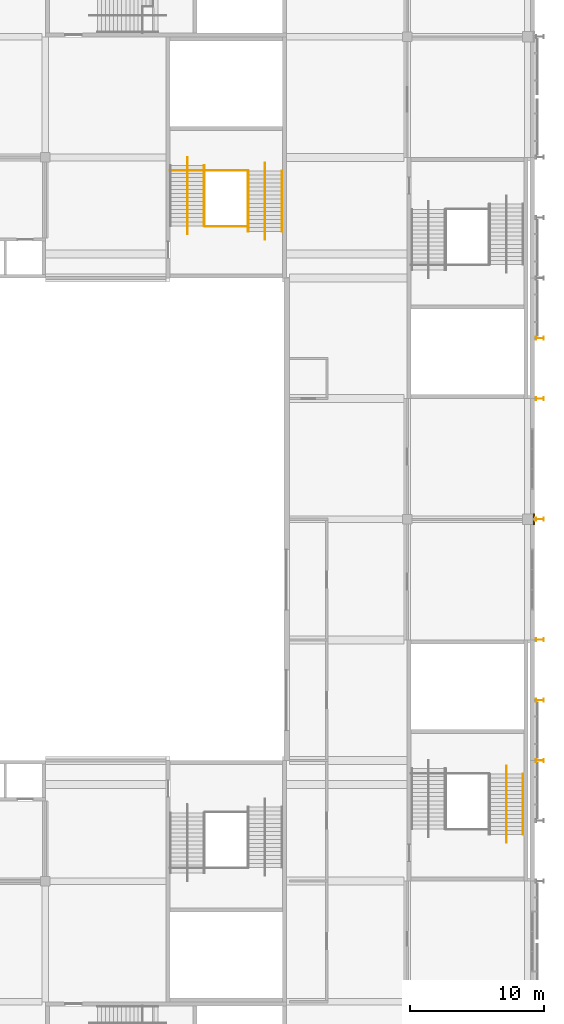
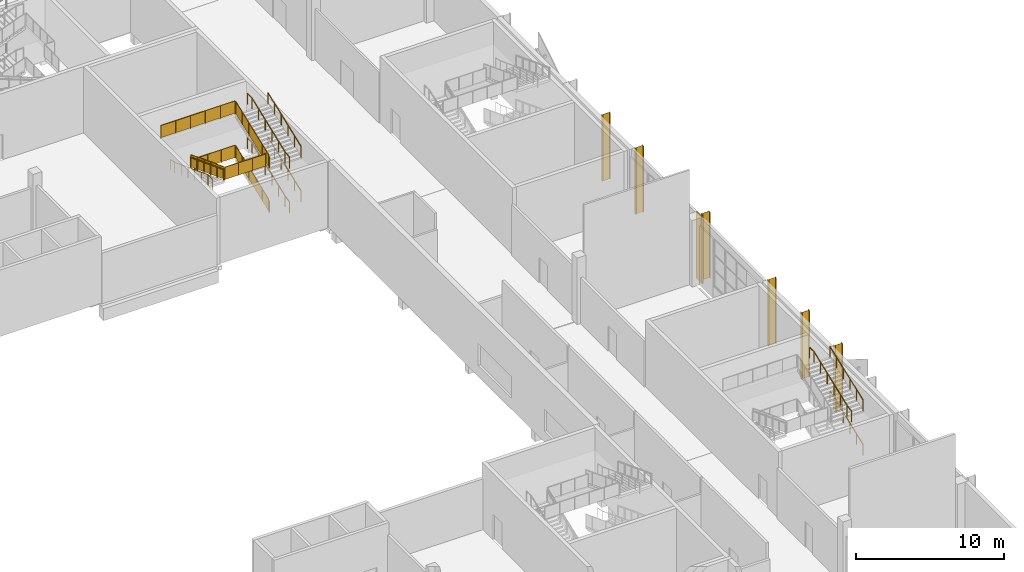
# One storey, part 81 of 84: 17 railings, 6 shading devices, 1 covering.
"""IFC4 building model written with IfcOpenShell, lengths in metres."""

from ifc_helpers import new_model, si_unit, direction, frame, origin, origin_2d, place, context, subcontext, project, spatial, polyline, circle, i_section, outline, extrude, material, layer, layer_set, material_profile, profile_set, type_object, element, save


model = new_model("IFC4")

# Units and contexts
model_context = context("Model", 3, precision=1e-05, world=origin(), true_north=direction((0.0, 1.0)))
body_context = subcontext(model_context, "Body", "Model", "MODEL_VIEW")
ifc_project = project(units=[si_unit("LENGTHUNIT", "METRE"), si_unit("AREAUNIT", "SQUARE_METRE"), si_unit("VOLUMEUNIT", "CUBIC_METRE"), si_unit("PLANEANGLEUNIT", "RADIAN"), si_unit("MASSUNIT", "GRAM", prefix="KILO")], contexts=[model_context])

# Site, building, storey
site_placement = place(None, origin())
site = spatial("IfcSite", under=ifc_project, at=site_placement, CompositionType="ELEMENT")
building_placement = place(site_placement, origin())
building = spatial("IfcBuilding", under=site, at=building_placement, Name="Silverbay Arena", CompositionType="ELEMENT")
storey_placement = place(building_placement, frame((0.0, 0.0, 28.0)))
storey = spatial("IfcBuildingStorey", under=building, at=storey_placement, Name="L04", CompositionType="ELEMENT", Elevation=28.0)

# Covering
ifc_material_1 = material(Name="Aluminium composite cladding", Category="aluminium")
ifc_layer = layer(ifc_material_1, 0.10009765625)
ifc_layer_set = layer_set([ifc_layer], Name="Aluminium composite cladding")
covering_type = type_object("IfcCoveringType", Name="Column cladding 100", PredefinedType="CLADDING", material=ifc_layer_set)
covering_placement = place(storey_placement, origin())
element("IfcCovering", 1, at=covering_placement, inside=storey, type_object=covering_type, Name="East column cladding L04 10", PredefinedType="CLADDING", context=body_context, shape_type="SweptSolid", body=[
    extrude(outline(polyline([(207.39990234375, 80.60009765625), (207.5, 80.60009765625), (207.5, 81.39990234375), (207.39990234375, 81.39990234375), (207.39990234375, 80.60009765625)])), origin(), (0.0, 0.0, 1.0), 5.5),
])

# Railings
ifc_material_2 = material(Name="Stainless steel", Category="steel")
railing_type_1 = type_object("IfcRailingType", Name="Stair guard 1100", PredefinedType="GUARDRAIL", material=ifc_material_2)
railing_1_placement = place(storey_placement, frame((186.125, 102.4794921875, 0.114501953125)))
element("IfcRailing", 2, at=railing_1_placement, inside=storey, type_object=railing_type_1, Name="Stair ST-NE2 L04 to L05 flight 1 guard left", PredefinedType="GUARDRAIL", context=body_context, shape_type="SweptSolid", body=[
    extrude(circle(Radius=0.02392578125, at=origin_2d()), frame((0.0, 0.0, 1.076171875), z_axis=(0.0, 0.93417907455, 0.356804507641), x_axis=(-1.0, 0.0, 0.0)), (0.0, 0.0, 1.0), 4.817138671875),
    extrude(outline(polyline([(-0.008056640625, 0.046875), (0.907958984375, 0.396728515625), (0.907958984375, 1.39990234375), (-0.008056640625, 1.050048828125), (-0.008056640625, 0.046875)])), frame((-0.0029296875, 0.0, 0.0), z_axis=(1.0, 0.0, 0.0), x_axis=(0.0, 1.0, 0.0)), (0.0, 0.0, 1.0), 0.006103515625),
    extrude(outline(polyline([(-0.008056640625, 0.390625), (0.907958984375, 0.740478515625), (0.907958984375, 1.74365234375), (-0.008056640625, 1.393798828125), (-0.008056640625, 0.390625)])), frame((-0.0029296875, 0.89990234375, 0.0), z_axis=(1.0, 0.0, 0.0), x_axis=(0.0, 1.0, 0.0)), (0.0, 0.0, 1.0), 0.006103515625),
    extrude(outline(polyline([(-0.008056640625, 0.734375), (0.907958984375, 1.084228515625), (0.907958984375, 2.08740234375), (-0.008056640625, 1.737548828125), (-0.008056640625, 0.734375)])), frame((-0.0029296875, 1.800048828125, 0.0), z_axis=(1.0, 0.0, 0.0), x_axis=(0.0, 1.0, 0.0)), (0.0, 0.0, 1.0), 0.006103515625),
    extrude(outline(polyline([(-0.008056640625, 1.078125), (0.907958984375, 1.427978515625), (0.907958984375, 2.43115234375), (-0.008056640625, 2.081298828125), (-0.008056640625, 1.078125)])), frame((-0.0029296875, 2.699951171875, 0.0), z_axis=(1.0, 0.0, 0.0), x_axis=(0.0, 1.0, 0.0)), (0.0, 0.0, 1.0), 0.006103515625),
    extrude(outline(polyline([(-0.008056640625, 1.421875), (0.907958984375, 1.771728515625), (0.907958984375, 2.77490234375), (-0.008056640625, 2.425048828125), (-0.008056640625, 1.421875)])), frame((-0.0029296875, 3.60009765625, 0.0), z_axis=(1.0, 0.0, 0.0), x_axis=(0.0, 1.0, 0.0)), (0.0, 0.0, 1.0), 0.006103515625),
    extrude(circle(Radius=0.02099609375, at=origin_2d()), origin(), (0.0, 0.0, 1.0), 1.052001953125),
    extrude(circle(Radius=0.02099609375, at=origin_2d()), frame((0.0, 0.89990234375, 0.34375)), (0.0, 0.0, 1.0), 1.052001953125),
    extrude(circle(Radius=0.02099609375, at=origin_2d()), frame((0.0, 1.800048828125, 0.6875)), (0.0, 0.0, 1.0), 1.052001953125),
    extrude(circle(Radius=0.02099609375, at=origin_2d()), frame((0.0, 2.699951171875, 1.03125)), (0.0, 0.0, 1.0), 1.052001953125),
    extrude(circle(Radius=0.02099609375, at=origin_2d()), frame((0.0, 3.60009765625, 1.375)), (0.0, 0.0, 1.0), 1.052001953125),
    extrude(circle(Radius=0.02099609375, at=origin_2d()), frame((0.0, 4.5, 1.71875)), (0.0, 0.0, 1.0), 1.052001953125),
])
railing_2_placement = place(storey_placement, frame((182.875, 107.39990234375, 1.947998046875)))
element("IfcRailing", 3, at=railing_2_placement, inside=storey, type_object=railing_type_1, Name="Stair ST-NE2 L04 to L05 flight 2 guard right", PredefinedType="GUARDRAIL", context=body_context, shape_type="SweptSolid", body=[
    extrude(circle(Radius=0.02392578125, at=origin_2d()), frame((0.0, 0.0, 1.076171875), z_axis=(0.0, -0.93417907455, 0.356804507641), x_axis=(1.0, 0.0, 0.0)), (0.0, 0.0, 1.0), 4.817138671875),
    extrude(outline(polyline([(-0.008056640625, 0.046875), (0.907958984375, 0.396728515625), (0.907958984375, 1.39990234375), (-0.008056640625, 1.050048828125), (-0.008056640625, 0.046875)])), frame((0.0029296875, 0.0, 0.0), z_axis=(-1.0, 0.0, 0.0), x_axis=(0.0, -1.0, 0.0)), (0.0, 0.0, 1.0), 0.006103515625),
    extrude(outline(polyline([(-0.008056640625, 0.390625), (0.907958984375, 0.740478515625), (0.907958984375, 1.74365234375), (-0.008056640625, 1.393798828125), (-0.008056640625, 0.390625)])), frame((0.0029296875, -0.89990234375, 0.0), z_axis=(-1.0, 0.0, 0.0), x_axis=(0.0, -1.0, 0.0)), (0.0, 0.0, 1.0), 0.006103515625),
    extrude(outline(polyline([(-0.008056640625, 0.734375), (0.907958984375, 1.084228515625), (0.907958984375, 2.08740234375), (-0.008056640625, 1.737548828125), (-0.008056640625, 0.734375)])), frame((0.0029296875, -1.800048828125, 0.0), z_axis=(-1.0, 0.0, 0.0), x_axis=(0.0, -1.0, 0.0)), (0.0, 0.0, 1.0), 0.006103515625),
    extrude(outline(polyline([(-0.008056640625, 1.078125), (0.907958984375, 1.427978515625), (0.907958984375, 2.43115234375), (-0.008056640625, 2.081298828125), (-0.008056640625, 1.078125)])), frame((0.0029296875, -2.699951171875, 0.0), z_axis=(-1.0, 0.0, 0.0), x_axis=(0.0, -1.0, 0.0)), (0.0, 0.0, 1.0), 0.006103515625),
    extrude(outline(polyline([(-0.008056640625, 1.421875), (0.907958984375, 1.771728515625), (0.907958984375, 2.77490234375), (-0.008056640625, 2.425048828125), (-0.008056640625, 1.421875)])), frame((0.0029296875, -3.60009765625, 0.0), z_axis=(-1.0, 0.0, 0.0), x_axis=(0.0, -1.0, 0.0)), (0.0, 0.0, 1.0), 0.006103515625),
    extrude(circle(Radius=0.02099609375, at=origin_2d()), origin(), (0.0, 0.0, 1.0), 1.052001953125),
    extrude(circle(Radius=0.02099609375, at=origin_2d()), frame((0.0, -0.89990234375, 0.34375)), (0.0, 0.0, 1.0), 1.052001953125),
    extrude(circle(Radius=0.02099609375, at=origin_2d()), frame((0.0, -1.800048828125, 0.6875)), (0.0, 0.0, 1.0), 1.052001953125),
    extrude(circle(Radius=0.02099609375, at=origin_2d()), frame((0.0, -2.699951171875, 1.03125)), (0.0, 0.0, 1.0), 1.052001953125),
    extrude(circle(Radius=0.02099609375, at=origin_2d()), frame((0.0, -3.60009765625, 1.375)), (0.0, 0.0, 1.0), 1.052001953125),
    extrude(circle(Radius=0.02099609375, at=origin_2d()), frame((0.0, -4.5, 1.71875)), (0.0, 0.0, 1.0), 1.052001953125),
])
railing_3_placement = place(storey_placement, frame((186.125, 102.4794921875, 3.78125)))
element("IfcRailing", 4, at=railing_3_placement, inside=storey, type_object=railing_type_1, Name="Stair ST-NE2 L04 to L05 flight 3 guard left", PredefinedType="GUARDRAIL", context=body_context, shape_type="SweptSolid", body=[
    extrude(circle(Radius=0.02392578125, at=origin_2d()), frame((0.0, 0.0, 1.076171875), z_axis=(0.0, 0.93417907455, 0.356804507641), x_axis=(-1.0, 0.0, 0.0)), (0.0, 0.0, 1.0), 4.817138671875),
    extrude(outline(polyline([(-0.008056640625, 0.046875), (0.907958984375, 0.396728515625), (0.907958984375, 1.39990234375), (-0.008056640625, 1.050048828125), (-0.008056640625, 0.046875)])), frame((-0.0029296875, 0.0, 0.0), z_axis=(1.0, 0.0, 0.0), x_axis=(0.0, 1.0, 0.0)), (0.0, 0.0, 1.0), 0.006103515625),
    extrude(outline(polyline([(-0.008056640625, 0.390625), (0.907958984375, 0.740478515625), (0.907958984375, 1.74365234375), (-0.008056640625, 1.393798828125), (-0.008056640625, 0.390625)])), frame((-0.0029296875, 0.89990234375, 0.0), z_axis=(1.0, 0.0, 0.0), x_axis=(0.0, 1.0, 0.0)), (0.0, 0.0, 1.0), 0.006103515625),
    extrude(outline(polyline([(-0.008056640625, 0.734375), (0.907958984375, 1.084228515625), (0.907958984375, 2.08740234375), (-0.008056640625, 1.737548828125), (-0.008056640625, 0.734375)])), frame((-0.0029296875, 1.800048828125, 0.0), z_axis=(1.0, 0.0, 0.0), x_axis=(0.0, 1.0, 0.0)), (0.0, 0.0, 1.0), 0.006103515625),
    extrude(outline(polyline([(-0.008056640625, 1.078125), (0.907958984375, 1.427978515625), (0.907958984375, 2.43115234375), (-0.008056640625, 2.081298828125), (-0.008056640625, 1.078125)])), frame((-0.0029296875, 2.699951171875, 0.0), z_axis=(1.0, 0.0, 0.0), x_axis=(0.0, 1.0, 0.0)), (0.0, 0.0, 1.0), 0.006103515625),
    extrude(outline(polyline([(-0.008056640625, 1.421875), (0.907958984375, 1.771728515625), (0.907958984375, 2.77490234375), (-0.008056640625, 2.425048828125), (-0.008056640625, 1.421875)])), frame((-0.0029296875, 3.60009765625, 0.0), z_axis=(1.0, 0.0, 0.0), x_axis=(0.0, 1.0, 0.0)), (0.0, 0.0, 1.0), 0.006103515625),
    extrude(circle(Radius=0.02099609375, at=origin_2d()), origin(), (0.0, 0.0, 1.0), 1.052001953125),
    extrude(circle(Radius=0.02099609375, at=origin_2d()), frame((0.0, 0.89990234375, 0.34375)), (0.0, 0.0, 1.0), 1.052001953125),
    extrude(circle(Radius=0.02099609375, at=origin_2d()), frame((0.0, 1.800048828125, 0.6875)), (0.0, 0.0, 1.0), 1.052001953125),
    extrude(circle(Radius=0.02099609375, at=origin_2d()), frame((0.0, 2.699951171875, 1.03125)), (0.0, 0.0, 1.0), 1.052001953125),
    extrude(circle(Radius=0.02099609375, at=origin_2d()), frame((0.0, 3.60009765625, 1.375)), (0.0, 0.0, 1.0), 1.052001953125),
    extrude(circle(Radius=0.02099609375, at=origin_2d()), frame((0.0, 4.5, 1.71875)), (0.0, 0.0, 1.0), 1.052001953125),
])
for number, where, name in (
    (5, (182.89990234375, 107.029541015625, 1.833251953125), "Stair ST-NE2 L04 to L05 landing 1 guard"),
    (6, (182.89990234375, 102.85009765625, 3.666748046875), "Stair ST-NE2 L04 to L05 landing 2 guard"),
):
    element("IfcRailing", number, at=place(storey_placement, frame(where)), inside=storey, type_object=railing_type_1, Name=name, PredefinedType="GUARDRAIL", context=body_context, shape_type="SweptSolid", body=[
        extrude(circle(Radius=0.02392578125, at=origin_2d()), frame((0.0, 0.0, 1.076171875), z_axis=(1.0, 0.0, 0.0), x_axis=(0.0, 1.0, 0.0)), (0.0, 0.0, 1.0), 3.2001953125),
        extrude(outline(polyline([(-0.008056640625, 0.050048828125), (1.07470703125, 0.050048828125), (1.07470703125, 1.052978515625), (-0.008056640625, 1.052978515625), (-0.008056640625, 0.050048828125)])), frame((0.0, 0.0029296875, 0.0), z_axis=(0.0, -1.0, 0.0), x_axis=(1.0, 0.0, 0.0)), (0.0, 0.0, 1.0), 0.006103515625),
        extrude(outline(polyline([(-0.008056640625, 0.050048828125), (1.07470703125, 0.050048828125), (1.07470703125, 1.052978515625), (-0.008056640625, 1.052978515625), (-0.008056640625, 0.050048828125)])), frame((1.066650390625, 0.0029296875, 0.0), z_axis=(0.0, -1.0, 0.0), x_axis=(1.0, 0.0, 0.0)), (0.0, 0.0, 1.0), 0.006103515625),
        extrude(outline(polyline([(-0.008056640625, 0.050048828125), (1.07470703125, 0.050048828125), (1.07470703125, 1.052978515625), (-0.008056640625, 1.052978515625), (-0.008056640625, 0.050048828125)])), frame((2.133544921875, 0.0029296875, 0.0), z_axis=(0.0, -1.0, 0.0), x_axis=(1.0, 0.0, 0.0)), (0.0, 0.0, 1.0), 0.006103515625),
        extrude(circle(Radius=0.02099609375, at=origin_2d()), origin(), (0.0, 0.0, 1.0), 1.052001953125),
        extrude(circle(Radius=0.02099609375, at=origin_2d()), frame((1.066650390625, 0.0, 0.0)), (0.0, 0.0, 1.0), 1.052001953125),
        extrude(circle(Radius=0.02099609375, at=origin_2d()), frame((2.133544921875, 0.0, 0.0)), (0.0, 0.0, 1.0), 1.052001953125),
        extrude(circle(Radius=0.02099609375, at=origin_2d()), frame((3.2001953125, 0.0, 0.0)), (0.0, 0.0, 1.0), 1.052001953125),
    ])
railing_4_placement = place(storey_placement, frame((186.10009765625, 107.029541015625, 5.5)))
element("IfcRailing", 7, at=railing_4_placement, inside=storey, type_object=railing_type_1, Name="Stair ST-NE2 L04 to L05 landing 3 guard", PredefinedType="GUARDRAIL", context=body_context, shape_type="SweptSolid", body=[
    extrude(circle(Radius=0.02392578125, at=origin_2d()), frame((0.0, 0.0, 1.076171875), z_axis=(-1.0, 0.0, 0.0), x_axis=(0.0, -1.0, 0.0)), (0.0, 0.0, 1.0), 5.800048828125),
    extrude(outline(polyline([(-0.008056640625, 0.050048828125), (1.16796875, 0.050048828125), (1.16796875, 1.052978515625), (-0.008056640625, 1.052978515625), (-0.008056640625, 0.050048828125)])), frame((0.0, -0.0029296875, 0.0), z_axis=(0.0, 1.0, 0.0), x_axis=(-1.0, 0.0, 0.0)), (0.0, 0.0, 1.0), 0.006103515625),
    extrude(outline(polyline([(-0.008056640625, 0.050048828125), (1.16796875, 0.050048828125), (1.16796875, 1.052978515625), (-0.008056640625, 1.052978515625), (-0.008056640625, 0.050048828125)])), frame((-1.159912109375, -0.0029296875, 0.0), z_axis=(0.0, 1.0, 0.0), x_axis=(-1.0, 0.0, 0.0)), (0.0, 0.0, 1.0), 0.006103515625),
    extrude(outline(polyline([(-0.008056640625, 0.050048828125), (1.16796875, 0.050048828125), (1.16796875, 1.052978515625), (-0.008056640625, 1.052978515625), (-0.008056640625, 0.050048828125)])), frame((-2.320068359375, -0.0029296875, 0.0), z_axis=(0.0, 1.0, 0.0), x_axis=(-1.0, 0.0, 0.0)), (0.0, 0.0, 1.0), 0.006103515625),
    extrude(outline(polyline([(-0.008056640625, 0.050048828125), (1.16796875, 0.050048828125), (1.16796875, 1.052978515625), (-0.008056640625, 1.052978515625), (-0.008056640625, 0.050048828125)])), frame((-3.47998046875, -0.0029296875, 0.0), z_axis=(0.0, 1.0, 0.0), x_axis=(-1.0, 0.0, 0.0)), (0.0, 0.0, 1.0), 0.006103515625),
    extrude(outline(polyline([(-0.008056640625, 0.050048828125), (1.16796875, 0.050048828125), (1.16796875, 1.052978515625), (-0.008056640625, 1.052978515625), (-0.008056640625, 0.050048828125)])), frame((-4.64013671875, -0.0029296875, 0.0), z_axis=(0.0, 1.0, 0.0), x_axis=(-1.0, 0.0, 0.0)), (0.0, 0.0, 1.0), 0.006103515625),
    extrude(circle(Radius=0.02099609375, at=origin_2d()), origin(), (0.0, 0.0, 1.0), 1.052001953125),
    extrude(circle(Radius=0.02099609375, at=origin_2d()), frame((-1.159912109375, 0.0, 0.0)), (0.0, 0.0, 1.0), 1.052001953125),
    extrude(circle(Radius=0.02099609375, at=origin_2d()), frame((-2.320068359375, 0.0, 0.0)), (0.0, 0.0, 1.0), 1.052001953125),
    extrude(circle(Radius=0.02099609375, at=origin_2d()), frame((-3.47998046875, 0.0, 0.0)), (0.0, 0.0, 1.0), 1.052001953125),
    extrude(circle(Radius=0.02099609375, at=origin_2d()), frame((-4.64013671875, 0.0, 0.0)), (0.0, 0.0, 1.0), 1.052001953125),
    extrude(circle(Radius=0.02099609375, at=origin_2d()), frame((-5.800048828125, 0.0, 0.0)), (0.0, 0.0, 1.0), 1.052001953125),
])
ifc_material_3 = material(Name="Stainless steel", Category="steel")
railing_type_2 = type_object("IfcRailingType", Name="Stair handrail 900", PredefinedType="HANDRAIL", material=ifc_material_3)
for number, where, name in (
    (8, (206.64990234375, 57.4794921875, 0.114501953125), "Stair ST-E1 L04 to L05 flight 1 handrail right"),
    (9, (206.64990234375, 57.4794921875, 3.78125), "Stair ST-E1 L04 to L05 flight 3 handrail right"),
):
    element("IfcRailing", number, at=place(storey_placement, frame(where)), inside=storey, type_object=railing_type_2, Name=name, PredefinedType="HANDRAIL", context=body_context, shape_type="SweptSolid", body=[
        extrude(circle(Radius=0.02392578125, at=origin_2d()), frame((0.0, 0.0, 0.8759765625), z_axis=(0.0, 0.93417907455, 0.356804507641), x_axis=(-1.0, 0.0, 0.0)), (0.0, 0.0, 1.0), 4.817138671875),
        extrude(circle(Radius=0.02099609375, at=origin_2d()), origin(), (0.0, 0.0, 1.0), 0.851806640625),
        extrude(circle(Radius=0.02099609375, at=origin_2d()), frame((0.0, 0.89990234375, 0.34375)), (0.0, 0.0, 1.0), 0.851806640625),
        extrude(circle(Radius=0.02099609375, at=origin_2d()), frame((0.0, 1.800048828125, 0.6875)), (0.0, 0.0, 1.0), 0.851806640625),
        extrude(circle(Radius=0.02099609375, at=origin_2d()), frame((0.0, 2.699951171875, 1.03125)), (0.0, 0.0, 1.0), 0.851806640625),
        extrude(circle(Radius=0.02099609375, at=origin_2d()), frame((0.0, 3.60009765625, 1.375)), (0.0, 0.0, 1.0), 0.851806640625),
        extrude(circle(Radius=0.02099609375, at=origin_2d()), frame((0.0, 4.5, 1.71875)), (0.0, 0.0, 1.0), 0.851806640625),
    ])
railing_5_placement = place(storey_placement, frame((205.39990234375, 56.879638671875, 3.666748046875)))
element("IfcRailing", 10, at=railing_5_placement, inside=storey, type_object=railing_type_2, Name="Stair ST-E1 L04 to L05 flight 3 central handrail", PredefinedType="HANDRAIL", context=body_context, shape_type="SweptSolid", body=[
    extrude(circle(Radius=0.02392578125, at=origin_2d()), frame((0.0, 0.0, 0.8759765625), z_axis=(0.0, 0.982265007716, 0.187497878966), x_axis=(-1.0, 0.0, 0.0)), (0.0, 0.0, 1.0), 0.610595703125),
    extrude(circle(Radius=0.02392578125, at=origin_2d()), frame((0.0, 0.599853515625, 0.990234375), z_axis=(0.0, 0.93417907455, 0.356804507641), x_axis=(-1.0, 0.0, 0.0)), (0.0, 0.0, 1.0), 4.817138671875),
    extrude(circle(Radius=0.02392578125, at=origin_2d()), frame((0.0, 5.099853515625, 2.708984375), z_axis=(0.0, 1.0, 0.0), x_axis=(-1.0, 0.0, 0.0)), (0.0, 0.0, 1.0), 0.60009765625),
    extrude(circle(Radius=0.02099609375, at=origin_2d()), origin(), (0.0, 0.0, 1.0), 0.851806640625),
    extrude(circle(Radius=0.02099609375, at=origin_2d()), frame((0.0, 0.599853515625, 0.114501953125)), (0.0, 0.0, 1.0), 0.851806640625),
    extrude(circle(Radius=0.02099609375, at=origin_2d()), frame((0.0, 1.499755859375, 0.458251953125)), (0.0, 0.0, 1.0), 0.851806640625),
    extrude(circle(Radius=0.02099609375, at=origin_2d()), frame((0.0, 2.39990234375, 0.802001953125)), (0.0, 0.0, 1.0), 0.851806640625),
    extrude(circle(Radius=0.02099609375, at=origin_2d()), frame((0.0, 3.2998046875, 1.145751953125)), (0.0, 0.0, 1.0), 0.851806640625),
    extrude(circle(Radius=0.02099609375, at=origin_2d()), frame((0.0, 4.199951171875, 1.489501953125)), (0.0, 0.0, 1.0), 0.851806640625),
    extrude(circle(Radius=0.02099609375, at=origin_2d()), frame((0.0, 5.099853515625, 1.833251953125)), (0.0, 0.0, 1.0), 0.851806640625),
    extrude(circle(Radius=0.02099609375, at=origin_2d()), frame((0.0, 5.699951171875, 1.833251953125)), (0.0, 0.0, 1.0), 0.851806640625),
])
for number, where, name in (
    (11, (186.1640625, 102.4794921875, 0.114501953125), "Stair ST-NE2 L04 to L05 flight 1 handrail left"),
    (12, (188.64990234375, 102.4794921875, 0.114501953125), "Stair ST-NE2 L04 to L05 flight 1 handrail right"),
):
    element("IfcRailing", number, at=place(storey_placement, frame(where)), inside=storey, type_object=railing_type_2, Name=name, PredefinedType="HANDRAIL", context=body_context, shape_type="SweptSolid", body=[
        extrude(circle(Radius=0.02392578125, at=origin_2d()), frame((0.0, 0.0, 0.8759765625), z_axis=(0.0, 0.93417907455, 0.356804507641), x_axis=(-1.0, 0.0, 0.0)), (0.0, 0.0, 1.0), 4.817138671875),
        extrude(circle(Radius=0.02099609375, at=origin_2d()), origin(), (0.0, 0.0, 1.0), 0.851806640625),
        extrude(circle(Radius=0.02099609375, at=origin_2d()), frame((0.0, 0.89990234375, 0.34375)), (0.0, 0.0, 1.0), 0.851806640625),
        extrude(circle(Radius=0.02099609375, at=origin_2d()), frame((0.0, 1.800048828125, 0.6875)), (0.0, 0.0, 1.0), 0.851806640625),
        extrude(circle(Radius=0.02099609375, at=origin_2d()), frame((0.0, 2.699951171875, 1.03125)), (0.0, 0.0, 1.0), 0.851806640625),
        extrude(circle(Radius=0.02099609375, at=origin_2d()), frame((0.0, 3.60009765625, 1.375)), (0.0, 0.0, 1.0), 0.851806640625),
        extrude(circle(Radius=0.02099609375, at=origin_2d()), frame((0.0, 4.5, 1.71875)), (0.0, 0.0, 1.0), 0.851806640625),
    ])
railing_6_placement = place(storey_placement, frame((187.39990234375, 101.879638671875, 0.0)))
element("IfcRailing", 13, at=railing_6_placement, inside=storey, type_object=railing_type_2, Name="Stair ST-NE2 L04 to L05 flight 1 central handrail", PredefinedType="HANDRAIL", context=body_context, shape_type="SweptSolid", body=[
    extrude(circle(Radius=0.02392578125, at=origin_2d()), frame((0.0, 0.0, 0.8759765625), z_axis=(0.0, 0.982265007716, 0.187497878966), x_axis=(-1.0, 0.0, 0.0)), (0.0, 0.0, 1.0), 0.610595703125),
    extrude(circle(Radius=0.02392578125, at=origin_2d()), frame((0.0, 0.599853515625, 0.990234375), z_axis=(0.0, 0.93417907455, 0.356804507641), x_axis=(-1.0, 0.0, 0.0)), (0.0, 0.0, 1.0), 4.817138671875),
    extrude(circle(Radius=0.02392578125, at=origin_2d()), frame((0.0, 5.099853515625, 2.708984375), z_axis=(0.0, 1.0, 0.0), x_axis=(-1.0, 0.0, 0.0)), (0.0, 0.0, 1.0), 0.60009765625),
    extrude(circle(Radius=0.02099609375, at=origin_2d()), origin(), (0.0, 0.0, 1.0), 0.851806640625),
    extrude(circle(Radius=0.02099609375, at=origin_2d()), frame((0.0, 0.599853515625, 0.114501953125)), (0.0, 0.0, 1.0), 0.851806640625),
    extrude(circle(Radius=0.02099609375, at=origin_2d()), frame((0.0, 1.499755859375, 0.458251953125)), (0.0, 0.0, 1.0), 0.851806640625),
    extrude(circle(Radius=0.02099609375, at=origin_2d()), frame((0.0, 2.39990234375, 0.802001953125)), (0.0, 0.0, 1.0), 0.851806640625),
    extrude(circle(Radius=0.02099609375, at=origin_2d()), frame((0.0, 3.2998046875, 1.145751953125)), (0.0, 0.0, 1.0), 0.851806640625),
    extrude(circle(Radius=0.02099609375, at=origin_2d()), frame((0.0, 4.199951171875, 1.489501953125)), (0.0, 0.0, 1.0), 0.851806640625),
    extrude(circle(Radius=0.02099609375, at=origin_2d()), frame((0.0, 5.099853515625, 1.833251953125)), (0.0, 0.0, 1.0), 0.851806640625),
    extrude(circle(Radius=0.02099609375, at=origin_2d()), frame((0.0, 5.699951171875, 1.833251953125)), (0.0, 0.0, 1.0), 0.851806640625),
])
railing_7_placement = place(storey_placement, frame((182.8359375, 107.39990234375, 1.947998046875)))
element("IfcRailing", 14, at=railing_7_placement, inside=storey, type_object=railing_type_2, Name="Stair ST-NE2 L04 to L05 flight 2 handrail right", PredefinedType="HANDRAIL", context=body_context, shape_type="SweptSolid", body=[
    extrude(circle(Radius=0.02392578125, at=origin_2d()), frame((0.0, 0.0, 0.8759765625), z_axis=(0.0, -0.93417907455, 0.356804507641), x_axis=(1.0, 0.0, 0.0)), (0.0, 0.0, 1.0), 4.817138671875),
    extrude(circle(Radius=0.02099609375, at=origin_2d()), origin(), (0.0, 0.0, 1.0), 0.851806640625),
    extrude(circle(Radius=0.02099609375, at=origin_2d()), frame((0.0, -0.89990234375, 0.34375)), (0.0, 0.0, 1.0), 0.851806640625),
    extrude(circle(Radius=0.02099609375, at=origin_2d()), frame((0.0, -1.800048828125, 0.6875)), (0.0, 0.0, 1.0), 0.851806640625),
    extrude(circle(Radius=0.02099609375, at=origin_2d()), frame((0.0, -2.699951171875, 1.03125)), (0.0, 0.0, 1.0), 0.851806640625),
    extrude(circle(Radius=0.02099609375, at=origin_2d()), frame((0.0, -3.60009765625, 1.375)), (0.0, 0.0, 1.0), 0.851806640625),
    extrude(circle(Radius=0.02099609375, at=origin_2d()), frame((0.0, -4.5, 1.71875)), (0.0, 0.0, 1.0), 0.851806640625),
])
railing_8_placement = place(storey_placement, frame((181.60009765625, 108.0, 1.833251953125)))
element("IfcRailing", 15, at=railing_8_placement, inside=storey, type_object=railing_type_2, Name="Stair ST-NE2 L04 to L05 flight 2 central handrail", PredefinedType="HANDRAIL", context=body_context, shape_type="SweptSolid", body=[
    extrude(circle(Radius=0.02392578125, at=origin_2d()), frame((0.0, 0.0, 0.8759765625), z_axis=(0.0, -0.982205411617, 0.1878098224), x_axis=(1.0, 0.0, 0.0)), (0.0, 0.0, 1.0), 0.611083984375),
    extrude(circle(Radius=0.02392578125, at=origin_2d()), frame((0.0, -0.60009765625, 0.99072265625), z_axis=(0.0, -0.93417907455, 0.356804507641), x_axis=(1.0, 0.0, 0.0)), (0.0, 0.0, 1.0), 4.817138671875),
    extrude(circle(Radius=0.02392578125, at=origin_2d()), frame((0.0, -5.10009765625, 2.70947265625), z_axis=(0.0, -1.0, 0.0), x_axis=(1.0, 0.0, 0.0)), (0.0, 0.0, 1.0), 0.599853515625),
    extrude(circle(Radius=0.02099609375, at=origin_2d()), origin(), (0.0, 0.0, 1.0), 0.851806640625),
    extrude(circle(Radius=0.02099609375, at=origin_2d()), frame((0.0, -0.60009765625, 0.11474609375)), (0.0, 0.0, 1.0), 0.851806640625),
    extrude(circle(Radius=0.02099609375, at=origin_2d()), frame((0.0, -1.5, 0.45849609375)), (0.0, 0.0, 1.0), 0.851806640625),
    extrude(circle(Radius=0.02099609375, at=origin_2d()), frame((0.0, -2.400146484375, 0.80224609375)), (0.0, 0.0, 1.0), 0.851806640625),
    extrude(circle(Radius=0.02099609375, at=origin_2d()), frame((0.0, -3.300048828125, 1.14599609375)), (0.0, 0.0, 1.0), 0.851806640625),
    extrude(circle(Radius=0.02099609375, at=origin_2d()), frame((0.0, -4.2001953125, 1.48974609375)), (0.0, 0.0, 1.0), 0.851806640625),
    extrude(circle(Radius=0.02099609375, at=origin_2d()), frame((0.0, -5.10009765625, 1.83349609375)), (0.0, 0.0, 1.0), 0.851806640625),
    extrude(circle(Radius=0.02099609375, at=origin_2d()), frame((0.0, -5.699951171875, 1.83349609375)), (0.0, 0.0, 1.0), 0.851806640625),
])
for number, where, name in (
    (16, (186.1640625, 102.4794921875, 3.78125), "Stair ST-NE2 L04 to L05 flight 3 handrail left"),
    (17, (188.64990234375, 102.4794921875, 3.78125), "Stair ST-NE2 L04 to L05 flight 3 handrail right"),
):
    element("IfcRailing", number, at=place(storey_placement, frame(where)), inside=storey, type_object=railing_type_2, Name=name, PredefinedType="HANDRAIL", context=body_context, shape_type="SweptSolid", body=[
        extrude(circle(Radius=0.02392578125, at=origin_2d()), frame((0.0, 0.0, 0.8759765625), z_axis=(0.0, 0.93417907455, 0.356804507641), x_axis=(-1.0, 0.0, 0.0)), (0.0, 0.0, 1.0), 4.817138671875),
        extrude(circle(Radius=0.02099609375, at=origin_2d()), origin(), (0.0, 0.0, 1.0), 0.851806640625),
        extrude(circle(Radius=0.02099609375, at=origin_2d()), frame((0.0, 0.89990234375, 0.34375)), (0.0, 0.0, 1.0), 0.851806640625),
        extrude(circle(Radius=0.02099609375, at=origin_2d()), frame((0.0, 1.800048828125, 0.6875)), (0.0, 0.0, 1.0), 0.851806640625),
        extrude(circle(Radius=0.02099609375, at=origin_2d()), frame((0.0, 2.699951171875, 1.03125)), (0.0, 0.0, 1.0), 0.851806640625),
        extrude(circle(Radius=0.02099609375, at=origin_2d()), frame((0.0, 3.60009765625, 1.375)), (0.0, 0.0, 1.0), 0.851806640625),
        extrude(circle(Radius=0.02099609375, at=origin_2d()), frame((0.0, 4.5, 1.71875)), (0.0, 0.0, 1.0), 0.851806640625),
    ])
railing_9_placement = place(storey_placement, frame((187.39990234375, 101.879638671875, 3.666748046875)))
element("IfcRailing", 18, at=railing_9_placement, inside=storey, type_object=railing_type_2, Name="Stair ST-NE2 L04 to L05 flight 3 central handrail", PredefinedType="HANDRAIL", context=body_context, shape_type="SweptSolid", body=[
    extrude(circle(Radius=0.02392578125, at=origin_2d()), frame((0.0, 0.0, 0.8759765625), z_axis=(0.0, 0.982265007716, 0.187497878966), x_axis=(-1.0, 0.0, 0.0)), (0.0, 0.0, 1.0), 0.610595703125),
    extrude(circle(Radius=0.02392578125, at=origin_2d()), frame((0.0, 0.599853515625, 0.990234375), z_axis=(0.0, 0.93417907455, 0.356804507641), x_axis=(-1.0, 0.0, 0.0)), (0.0, 0.0, 1.0), 4.817138671875),
    extrude(circle(Radius=0.02392578125, at=origin_2d()), frame((0.0, 5.099853515625, 2.708984375), z_axis=(0.0, 1.0, 0.0), x_axis=(-1.0, 0.0, 0.0)), (0.0, 0.0, 1.0), 0.60009765625),
    extrude(circle(Radius=0.02099609375, at=origin_2d()), origin(), (0.0, 0.0, 1.0), 0.851806640625),
    extrude(circle(Radius=0.02099609375, at=origin_2d()), frame((0.0, 0.599853515625, 0.114501953125)), (0.0, 0.0, 1.0), 0.851806640625),
    extrude(circle(Radius=0.02099609375, at=origin_2d()), frame((0.0, 1.499755859375, 0.458251953125)), (0.0, 0.0, 1.0), 0.851806640625),
    extrude(circle(Radius=0.02099609375, at=origin_2d()), frame((0.0, 2.39990234375, 0.802001953125)), (0.0, 0.0, 1.0), 0.851806640625),
    extrude(circle(Radius=0.02099609375, at=origin_2d()), frame((0.0, 3.2998046875, 1.145751953125)), (0.0, 0.0, 1.0), 0.851806640625),
    extrude(circle(Radius=0.02099609375, at=origin_2d()), frame((0.0, 4.199951171875, 1.489501953125)), (0.0, 0.0, 1.0), 0.851806640625),
    extrude(circle(Radius=0.02099609375, at=origin_2d()), frame((0.0, 5.099853515625, 1.833251953125)), (0.0, 0.0, 1.0), 0.851806640625),
    extrude(circle(Radius=0.02099609375, at=origin_2d()), frame((0.0, 5.699951171875, 1.833251953125)), (0.0, 0.0, 1.0), 0.851806640625),
])

# Shading devices
ifc_material_4 = material(Name="Steel S355", Category="steel")
ifc_material_profile = material_profile(ifc_material_4, i_section(OverallWidth=0.2275390625, OverallDepth=0.6025390625, WebThickness=0.010498046875, FlangeThickness=0.014892578125, at=origin_2d()), Name="UB 610x229x101")
ifc_profile_set = profile_set([ifc_material_profile], Name="Steel S355")
shading_device_type = type_object("IfcShadingDeviceType", Name="Steel fin UB 610x229x101", PredefinedType="USERDEFINED", material=ifc_profile_set)
for number, where, z_axis, x_axis, name in (
    (19, (207.9013671875, 63.0, 0.0), (0.0, 0.0, 1.0), (0.0, 1.0, 0.0), "Steel fin E L04 10"),
    (20, (207.9013671875, 67.5, 0.0), (0.0, 0.0, 1.0), (0.0, 1.0, 0.0), "Steel fin E L04 11"),
    (21, (207.9013671875, 72.0, 0.0), (0.0, 0.0, 1.0), (0.0, 1.0, 0.0), "Steel fin E L04 12"),
    (22, (207.9013671875, 81.0, 0.0), (0.0, 0.0, 1.0), (0.0, 1.0, 0.0), "Steel fin E L04 14"),
    (23, (207.9013671875, 90.0, 0.0), (0.0, 0.0, 1.0), (0.0, 1.0, 0.0), "Steel fin E L04 16"),
    (24, (207.9013671875, 94.5, 0.0), (0.0, 0.0, 1.0), (0.0, 1.0, 0.0), "Steel fin E L04 17"),
):
    element("IfcShadingDevice", number, at=place(storey_placement, frame(where, z_axis=z_axis, x_axis=x_axis)), inside=storey, type_object=shading_device_type, Name=name, ObjectType="FIN", PredefinedType="USERDEFINED", context=body_context, shape_type="SweptSolid", body=[
        extrude(i_section(OverallWidth=0.2275390625, OverallDepth=0.6025390625, WebThickness=0.010498046875, FlangeThickness=0.014892578125, at=origin_2d()), origin(), (0.0, 0.0, 1.0), 5.5),
    ])

save(model, "model.ifc")
